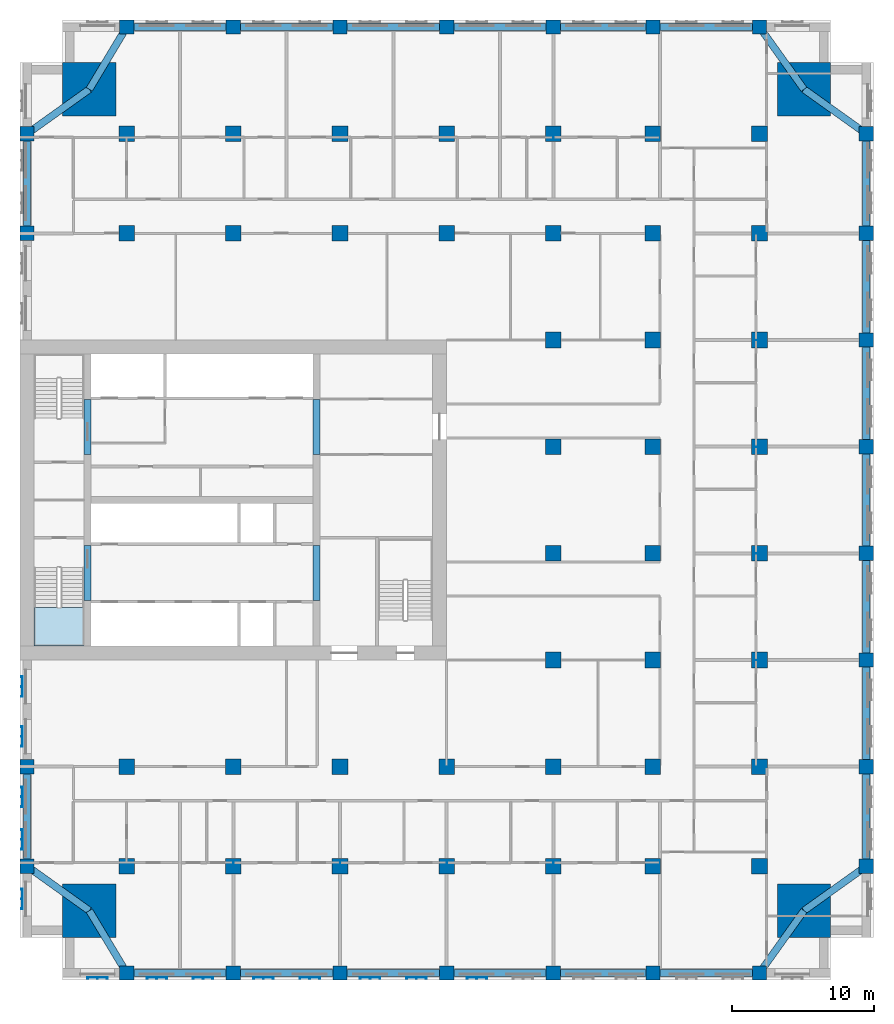
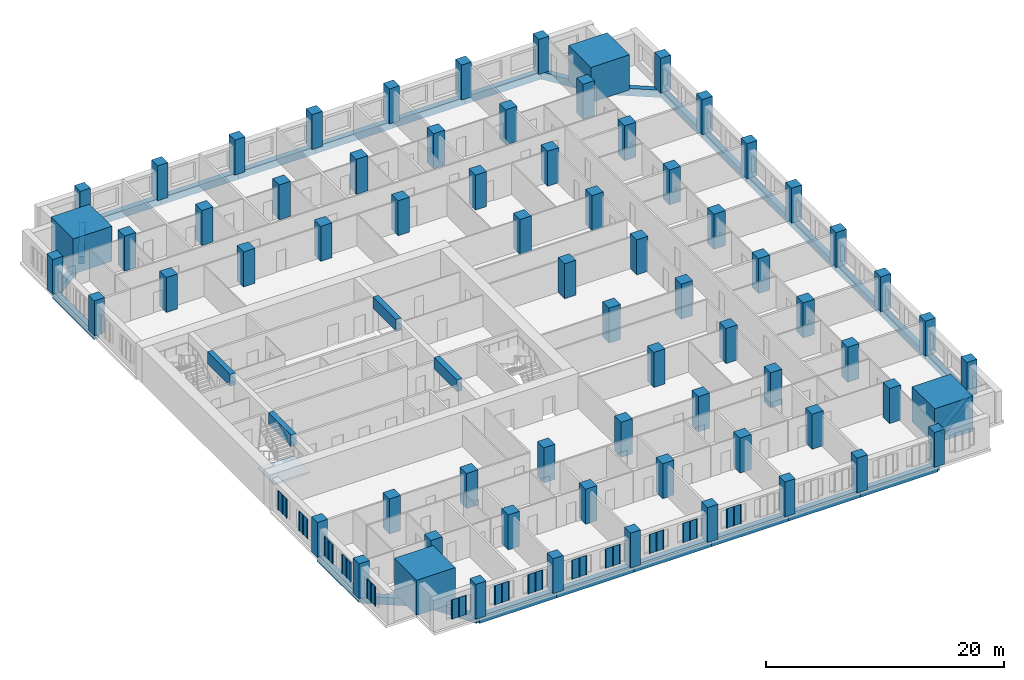
# One storey, part 1 of 14: 70 columns, 33 beams, 13 plates, 1 slab, 1 element without a shape of its own.
"""IFC4 building model written with IfcOpenShell, lengths in metres."""

from ifc_helpers import new_model, si_unit, direction, frame, origin, origin_2d, place, context, subcontext, project, spatial, polyline, rectangle, outline, extrude, material, layer, layer_set, material_profile, profile_set, type_object, element, aggregate, save


model = new_model("IFC4")

# Units and contexts
model_context = context("Model", 3, precision=1e-05, world=origin(), true_north=direction((0.0, 1.0)))
body_context = subcontext(model_context, "Body", "Model", "MODEL_VIEW")
ifc_project = project(units=[si_unit("LENGTHUNIT", "METRE"), si_unit("AREAUNIT", "SQUARE_METRE"), si_unit("VOLUMEUNIT", "CUBIC_METRE"), si_unit("PLANEANGLEUNIT", "RADIAN"), si_unit("MASSUNIT", "GRAM", prefix="KILO")], contexts=[model_context])

# Site, building, storey
site_placement = place(None, origin())
site = spatial("IfcSite", under=ifc_project, at=site_placement, CompositionType="ELEMENT")
building_placement = place(site_placement, origin())
building = spatial("IfcBuilding", under=site, at=building_placement, Name="Tamorin Gate", CompositionType="ELEMENT")
storey_placement = place(building_placement, frame((0.0, 0.0, 115.10009765625)))
storey = spatial("IfcBuildingStorey", under=building, at=storey_placement, Name="L28", CompositionType="ELEMENT", Elevation=115.10009765625)

# Columns
ifc_material_1 = material(Name="Concrete C80/95", Category="concrete")
ifc_material_profile_1 = material_profile(ifc_material_1, rectangle(XDim=1.0, YDim=1.0, at=origin_2d()), Name="RC 1000x1000")
ifc_profile_set_1 = profile_set([ifc_material_profile_1], Name="Concrete C80/95")
column_type_1 = type_object("IfcColumnType", Name="RC column 1000x1000 C80/95", PredefinedType="COLUMN", material=ifc_profile_set_1)
for number, where, z_axis, x_axis, name in (
    (1, (30.5, 45.5, 0.0), (0.0, 0.0, 1.0), (1.0, 0.0, 0.0), "Ring column L28"),
    (2, (30.5, 52.5, 0.0), (0.0, 0.0, 1.0), (1.0, 0.0, 0.0), "Ring column L28"),
    (3, (30.5, 90.0, 0.0), (0.0, 0.0, 1.0), (1.0, 0.0, 0.0), "Ring column L28"),
    (4, (30.5, 97.0, 0.0), (0.0, 0.0, 1.0), (1.0, 0.0, 0.0), "Ring column L28"),
    (5, (37.5, 38.0, 0.0), (0.0, 0.0, 1.0), (1.0, 0.0, 0.0), "Ring column L28"),
    (6, (37.5, 104.5, 0.0), (0.0, 0.0, 1.0), (1.0, 0.0, 0.0), "Ring column L28"),
    (7, (45.0, 38.0, 0.0), (0.0, 0.0, 1.0), (1.0, 0.0, 0.0), "Ring column L28"),
    (8, (45.0, 104.5, 0.0), (0.0, 0.0, 1.0), (1.0, 0.0, 0.0), "Ring column L28"),
    (9, (52.5, 38.0, 0.0), (0.0, 0.0, 1.0), (1.0, 0.0, 0.0), "Ring column L28"),
    (10, (52.5, 104.5, 0.0), (0.0, 0.0, 1.0), (1.0, 0.0, 0.0), "Ring column L28"),
    (11, (60.0, 38.0, 0.0), (0.0, 0.0, 1.0), (1.0, 0.0, 0.0), "Ring column L28"),
    (12, (60.0, 104.5, 0.0), (0.0, 0.0, 1.0), (1.0, 0.0, 0.0), "Ring column L28"),
    (13, (67.5, 38.0, 0.0), (0.0, 0.0, 1.0), (1.0, 0.0, 0.0), "Ring column L28"),
    (14, (67.5, 104.5, 0.0), (0.0, 0.0, 1.0), (1.0, 0.0, 0.0), "Ring column L28"),
    (15, (74.5, 38.0, 0.0), (0.0, 0.0, 1.0), (1.0, 0.0, 0.0), "Ring column L28"),
    (16, (74.5, 104.5, 0.0), (0.0, 0.0, 1.0), (1.0, 0.0, 0.0), "Ring column L28"),
    (17, (82.0, 38.0, 0.0), (0.0, 0.0, 1.0), (1.0, 0.0, 0.0), "Ring column L28"),
    (18, (82.0, 104.5, 0.0), (0.0, 0.0, 1.0), (1.0, 0.0, 0.0), "Ring column L28"),
    (19, (89.5, 45.5, 0.0), (0.0, 0.0, 1.0), (1.0, 0.0, 0.0), "Ring column L28"),
    (20, (89.5, 52.5, 0.0), (0.0, 0.0, 1.0), (1.0, 0.0, 0.0), "Ring column L28"),
    (21, (89.5, 60.0, 0.0), (0.0, 0.0, 1.0), (1.0, 0.0, 0.0), "Ring column L28"),
    (22, (89.5, 67.5, 0.0), (0.0, 0.0, 1.0), (1.0, 0.0, 0.0), "Ring column L28"),
    (23, (89.5, 75.0, 0.0), (0.0, 0.0, 1.0), (1.0, 0.0, 0.0), "Ring column L28"),
    (24, (89.5, 82.5, 0.0), (0.0, 0.0, 1.0), (1.0, 0.0, 0.0), "Ring column L28"),
    (25, (89.5, 90.0, 0.0), (0.0, 0.0, 1.0), (1.0, 0.0, 0.0), "Ring column L28"),
    (26, (89.5, 97.0, 0.0), (0.0, 0.0, 1.0), (1.0, 0.0, 0.0), "Ring column L28"),
):
    element("IfcColumn", number, at=place(storey_placement, frame(where, z_axis=z_axis, x_axis=x_axis)), inside=storey, type_object=column_type_1, Name=name, PredefinedType="COLUMN", context=body_context, shape_type="SweptSolid", body=[
        extrude(rectangle(XDim=1.0, YDim=1.0, at=origin_2d()), origin(), (0.0, 0.0, 1.0), 3.599853515625),
    ])
ifc_material_profile_2 = material_profile(ifc_material_1, rectangle(XDim=1.10009765625, YDim=1.10009765625, at=origin_2d()), Name="RC 1100x1100")
ifc_profile_set_2 = profile_set([ifc_material_profile_2], Name="Concrete C80/95")
column_type_2 = type_object("IfcColumnType", Name="RC column 1100x1100 C80/95", PredefinedType="COLUMN", material=ifc_profile_set_2)
for number, where, z_axis, x_axis, name in (
    (27, (37.5, 45.5, 0.0), (0.0, 0.0, 1.0), (1.0, 0.0, 0.0), "Interior column L28"),
    (28, (37.5, 52.5, 0.0), (0.0, 0.0, 1.0), (1.0, 0.0, 0.0), "Interior column L28"),
    (29, (37.5, 90.0, 0.0), (0.0, 0.0, 1.0), (1.0, 0.0, 0.0), "Interior column L28"),
    (30, (37.5, 97.0, 0.0), (0.0, 0.0, 1.0), (1.0, 0.0, 0.0), "Interior column L28"),
    (31, (45.0, 45.5, 0.0), (0.0, 0.0, 1.0), (1.0, 0.0, 0.0), "Interior column L28"),
    (32, (45.0, 52.5, 0.0), (0.0, 0.0, 1.0), (1.0, 0.0, 0.0), "Interior column L28"),
    (33, (45.0, 90.0, 0.0), (0.0, 0.0, 1.0), (1.0, 0.0, 0.0), "Interior column L28"),
    (34, (45.0, 97.0, 0.0), (0.0, 0.0, 1.0), (1.0, 0.0, 0.0), "Interior column L28"),
    (35, (52.5, 45.5, 0.0), (0.0, 0.0, 1.0), (1.0, 0.0, 0.0), "Interior column L28"),
    (36, (52.5, 52.5, 0.0), (0.0, 0.0, 1.0), (1.0, 0.0, 0.0), "Interior column L28"),
    (37, (52.5, 90.0, 0.0), (0.0, 0.0, 1.0), (1.0, 0.0, 0.0), "Interior column L28"),
    (38, (52.5, 97.0, 0.0), (0.0, 0.0, 1.0), (1.0, 0.0, 0.0), "Interior column L28"),
    (39, (60.0, 45.5, 0.0), (0.0, 0.0, 1.0), (1.0, 0.0, 0.0), "Interior column L28"),
    (40, (60.0, 52.5, 0.0), (0.0, 0.0, 1.0), (1.0, 0.0, 0.0), "Interior column L28"),
    (41, (60.0, 90.0, 0.0), (0.0, 0.0, 1.0), (1.0, 0.0, 0.0), "Interior column L28"),
    (42, (60.0, 97.0, 0.0), (0.0, 0.0, 1.0), (1.0, 0.0, 0.0), "Interior column L28"),
    (43, (67.5, 45.5, 0.0), (0.0, 0.0, 1.0), (1.0, 0.0, 0.0), "Interior column L28"),
    (44, (67.5, 52.5, 0.0), (0.0, 0.0, 1.0), (1.0, 0.0, 0.0), "Interior column L28"),
    (45, (67.5, 60.0, 0.0), (0.0, 0.0, 1.0), (1.0, 0.0, 0.0), "Interior column L28"),
    (46, (67.5, 67.5, 0.0), (0.0, 0.0, 1.0), (1.0, 0.0, 0.0), "Interior column L28"),
    (47, (67.5, 75.0, 0.0), (0.0, 0.0, 1.0), (1.0, 0.0, 0.0), "Interior column L28"),
    (48, (67.5, 82.5, 0.0), (0.0, 0.0, 1.0), (1.0, 0.0, 0.0), "Interior column L28"),
    (49, (67.5, 90.0, 0.0), (0.0, 0.0, 1.0), (1.0, 0.0, 0.0), "Interior column L28"),
    (50, (67.5, 97.0, 0.0), (0.0, 0.0, 1.0), (1.0, 0.0, 0.0), "Interior column L28"),
    (51, (74.5, 45.5, 0.0), (0.0, 0.0, 1.0), (1.0, 0.0, 0.0), "Interior column L28"),
    (52, (74.5, 52.5, 0.0), (0.0, 0.0, 1.0), (1.0, 0.0, 0.0), "Interior column L28"),
    (53, (74.5, 60.0, 0.0), (0.0, 0.0, 1.0), (1.0, 0.0, 0.0), "Interior column L28"),
    (54, (74.5, 67.5, 0.0), (0.0, 0.0, 1.0), (1.0, 0.0, 0.0), "Interior column L28"),
    (55, (74.5, 75.0, 0.0), (0.0, 0.0, 1.0), (1.0, 0.0, 0.0), "Interior column L28"),
    (56, (74.5, 82.5, 0.0), (0.0, 0.0, 1.0), (1.0, 0.0, 0.0), "Interior column L28"),
    (57, (74.5, 90.0, 0.0), (0.0, 0.0, 1.0), (1.0, 0.0, 0.0), "Interior column L28"),
    (58, (74.5, 97.0, 0.0), (0.0, 0.0, 1.0), (1.0, 0.0, 0.0), "Interior column L28"),
    (59, (82.0, 45.5, 0.0), (0.0, 0.0, 1.0), (1.0, 0.0, 0.0), "Interior column L28"),
    (60, (82.0, 52.5, 0.0), (0.0, 0.0, 1.0), (1.0, 0.0, 0.0), "Interior column L28"),
    (61, (82.0, 60.0, 0.0), (0.0, 0.0, 1.0), (1.0, 0.0, 0.0), "Interior column L28"),
    (62, (82.0, 67.5, 0.0), (0.0, 0.0, 1.0), (1.0, 0.0, 0.0), "Interior column L28"),
    (63, (82.0, 75.0, 0.0), (0.0, 0.0, 1.0), (1.0, 0.0, 0.0), "Interior column L28"),
    (64, (82.0, 82.5, 0.0), (0.0, 0.0, 1.0), (1.0, 0.0, 0.0), "Interior column L28"),
    (65, (82.0, 90.0, 0.0), (0.0, 0.0, 1.0), (1.0, 0.0, 0.0), "Interior column L28"),
    (66, (82.0, 97.0, 0.0), (0.0, 0.0, 1.0), (1.0, 0.0, 0.0), "Interior column L28"),
):
    element("IfcColumn", number, at=place(storey_placement, frame(where, z_axis=z_axis, x_axis=x_axis)), inside=storey, type_object=column_type_2, Name=name, PredefinedType="COLUMN", context=body_context, shape_type="SweptSolid", body=[
        extrude(rectangle(XDim=1.10009765625, YDim=1.10009765625, at=origin_2d()), origin(), (0.0, 0.0, 1.0), 3.599853515625),
    ])
ifc_material_profile_3 = material_profile(ifc_material_1, rectangle(XDim=3.75, YDim=3.75, at=origin_2d()), Name="RC 3750x3750")
ifc_profile_set_3 = profile_set([ifc_material_profile_3], Name="Concrete C80/95")
column_type_3 = type_object("IfcColumnType", Name="RC column 3750x3750 C80/95", PredefinedType="COLUMN", material=ifc_profile_set_3)
for number, where, z_axis, x_axis, name in (
    (67, (34.875, 42.375, 0.0), (0.0, 0.0, 1.0), (1.0, 0.0, 0.0), "Mega column SW L28"),
    (68, (85.125, 42.375, 0.0), (0.0, 0.0, 1.0), (1.0, 0.0, 0.0), "Mega column SE L28"),
    (69, (34.875, 100.125, 0.0), (0.0, 0.0, 1.0), (1.0, 0.0, 0.0), "Mega column NW L28"),
    (70, (85.125, 100.125, 0.0), (0.0, 0.0, 1.0), (1.0, 0.0, 0.0), "Mega column NE L28"),
):
    element("IfcColumn", number, at=place(storey_placement, frame(where, z_axis=z_axis, x_axis=x_axis)), inside=storey, type_object=column_type_3, Name=name, PredefinedType="COLUMN", context=body_context, shape_type="SweptSolid", body=[
        extrude(rectangle(XDim=3.75, YDim=3.75, at=origin_2d()), origin(), (0.0, 0.0, 1.0), 3.599853515625),
    ])

# Beams
ifc_material_profile_4 = material_profile(ifc_material_1, rectangle(XDim=0.5, YDim=1.199951171875, at=origin_2d()), Name="RC 500x1200")
ifc_profile_set_4 = profile_set([ifc_material_profile_4], Name="Concrete C80/95")
beam_type_1 = type_object("IfcBeamType", Name="RC coupling beam 500x1200 C80/95", PredefinedType="BEAM", material=ifc_profile_set_4)
for number, where, z_axis, x_axis, name in (
    (71, (34.75, 64.199951171875, 3.0), (0.0, 1.0, 0.0), (-1.0, 0.0, 0.0), "Coupling beam L28"),
    (72, (34.75, 74.449951171875, 3.0), (0.0, 1.0, 0.0), (-1.0, 0.0, 0.0), "Coupling beam L28"),
    (73, (50.85009765625, 64.199951171875, 3.0), (0.0, 1.0, 0.0), (-1.0, 0.0, 0.0), "Coupling beam L28"),
    (74, (50.85009765625, 74.449951171875, 3.0), (0.0, 1.0, 0.0), (-1.0, 0.0, 0.0), "Coupling beam L28"),
):
    element("IfcBeam", number, at=place(storey_placement, frame(where, z_axis=z_axis, x_axis=x_axis)), inside=storey, type_object=beam_type_1, Name=name, PredefinedType="BEAM", context=body_context, shape_type="SweptSolid", body=[
        extrude(rectangle(XDim=0.5, YDim=1.199951171875, at=origin_2d()), origin(), (0.0, 0.0, 1.0), 3.85009765625),
    ])
ifc_material_2 = material(Name="Concrete C50/60", Category="concrete")
ifc_material_profile_5 = material_profile(ifc_material_2, rectangle(XDim=0.5, YDim=0.75, at=origin_2d()), Name="RC 500x750")
ifc_profile_set_5 = profile_set([ifc_material_profile_5], Name="Concrete C50/60")
beam_type_2 = type_object("IfcBeamType", Name="RC spandrel 500x750 C50/60", PredefinedType="BEAM", material=ifc_profile_set_5)
for number, where, z_axis, x_axis, name in (
    (75, (37.5, 38.0, -0.375), (1.0, 0.0, 0.0), (0.0, 1.0, 0.0), "Spandrel beam L28"),
    (76, (45.0, 38.0, -0.375), (1.0, 0.0, 0.0), (0.0, 1.0, 0.0), "Spandrel beam L28"),
    (77, (52.5, 38.0, -0.375), (1.0, 0.0, 0.0), (0.0, 1.0, 0.0), "Spandrel beam L28"),
    (78, (60.0, 38.0, -0.375), (1.0, 0.0, 0.0), (0.0, 1.0, 0.0), "Spandrel beam L28"),
):
    element("IfcBeam", number, at=place(storey_placement, frame(where, z_axis=z_axis, x_axis=x_axis)), inside=storey, type_object=beam_type_2, Name=name, PredefinedType="BEAM", context=body_context, shape_type="SweptSolid", body=[
        extrude(rectangle(XDim=0.5, YDim=0.75, at=origin_2d()), origin(), (0.0, 0.0, 1.0), 7.5),
    ])
beam_1_placement = place(storey_placement, frame((67.5, 38.0, -0.375), z_axis=(1.0, 0.0, 0.0), x_axis=(0.0, 1.0, 0.0)))
element("IfcBeam", 79, at=beam_1_placement, inside=storey, type_object=beam_type_2, Name="Spandrel beam L28", PredefinedType="BEAM", context=body_context, shape_type="SweptSolid", body=[
    extrude(rectangle(XDim=0.5, YDim=0.75, at=origin_2d()), origin(), (0.0, 0.0, 1.0), 7.0),
])
beam_2_placement = place(storey_placement, frame((74.5, 38.0, -0.375), z_axis=(1.0, 0.0, 0.0), x_axis=(0.0, 1.0, 0.0)))
element("IfcBeam", 80, at=beam_2_placement, inside=storey, type_object=beam_type_2, Name="Spandrel beam L28", PredefinedType="BEAM", context=body_context, shape_type="SweptSolid", body=[
    extrude(rectangle(XDim=0.5, YDim=0.75, at=origin_2d()), origin(), (0.0, 0.0, 1.0), 7.5),
])
beam_3_placement = place(storey_placement, frame((89.5, 45.5, -0.375), z_axis=(0.0, 1.0, 0.0), x_axis=(-1.0, 0.0, 0.0)))
element("IfcBeam", 81, at=beam_3_placement, inside=storey, type_object=beam_type_2, Name="Spandrel beam L28", PredefinedType="BEAM", context=body_context, shape_type="SweptSolid", body=[
    extrude(rectangle(XDim=0.5, YDim=0.75, at=origin_2d()), origin(), (0.0, 0.0, 1.0), 7.0),
])
for number, where, z_axis, x_axis, name in (
    (82, (89.5, 52.5, -0.375), (0.0, 1.0, 0.0), (-1.0, 0.0, 0.0), "Spandrel beam L28"),
    (83, (89.5, 60.0, -0.375), (0.0, 1.0, 0.0), (-1.0, 0.0, 0.0), "Spandrel beam L28"),
    (84, (89.5, 67.5, -0.375), (0.0, 1.0, 0.0), (-1.0, 0.0, 0.0), "Spandrel beam L28"),
    (85, (89.5, 75.0, -0.375), (0.0, 1.0, 0.0), (-1.0, 0.0, 0.0), "Spandrel beam L28"),
    (86, (89.5, 82.5, -0.375), (0.0, 1.0, 0.0), (-1.0, 0.0, 0.0), "Spandrel beam L28"),
):
    element("IfcBeam", number, at=place(storey_placement, frame(where, z_axis=z_axis, x_axis=x_axis)), inside=storey, type_object=beam_type_2, Name=name, PredefinedType="BEAM", context=body_context, shape_type="SweptSolid", body=[
        extrude(rectangle(XDim=0.5, YDim=0.75, at=origin_2d()), origin(), (0.0, 0.0, 1.0), 7.5),
    ])
beam_4_placement = place(storey_placement, frame((89.5, 90.0, -0.375), z_axis=(0.0, 1.0, 0.0), x_axis=(-1.0, 0.0, 0.0)))
element("IfcBeam", 87, at=beam_4_placement, inside=storey, type_object=beam_type_2, Name="Spandrel beam L28", PredefinedType="BEAM", context=body_context, shape_type="SweptSolid", body=[
    extrude(rectangle(XDim=0.5, YDim=0.75, at=origin_2d()), origin(), (0.0, 0.0, 1.0), 7.0),
])
beam_5_placement = place(storey_placement, frame((82.0, 104.5, -0.375), z_axis=(-1.0, 0.0, 0.0), x_axis=(0.0, -1.0, 0.0)))
element("IfcBeam", 88, at=beam_5_placement, inside=storey, type_object=beam_type_2, Name="Spandrel beam L28", PredefinedType="BEAM", context=body_context, shape_type="SweptSolid", body=[
    extrude(rectangle(XDim=0.5, YDim=0.75, at=origin_2d()), origin(), (0.0, 0.0, 1.0), 7.5),
])
beam_6_placement = place(storey_placement, frame((74.5, 104.5, -0.375), z_axis=(-1.0, 0.0, 0.0), x_axis=(0.0, -1.0, 0.0)))
element("IfcBeam", 89, at=beam_6_placement, inside=storey, type_object=beam_type_2, Name="Spandrel beam L28", PredefinedType="BEAM", context=body_context, shape_type="SweptSolid", body=[
    extrude(rectangle(XDim=0.5, YDim=0.75, at=origin_2d()), origin(), (0.0, 0.0, 1.0), 7.0),
])
for number, where, z_axis, x_axis, name in (
    (90, (67.5, 104.5, -0.375), (-1.0, 0.0, 0.0), (0.0, -1.0, 0.0), "Spandrel beam L28"),
    (91, (60.0, 104.5, -0.375), (-1.0, 0.0, 0.0), (0.0, -1.0, 0.0), "Spandrel beam L28"),
    (92, (52.5, 104.5, -0.375), (-1.0, 0.0, 0.0), (0.0, -1.0, 0.0), "Spandrel beam L28"),
    (93, (45.0, 104.5, -0.375), (-1.0, 0.0, 0.0), (0.0, -1.0, 0.0), "Spandrel beam L28"),
):
    element("IfcBeam", number, at=place(storey_placement, frame(where, z_axis=z_axis, x_axis=x_axis)), inside=storey, type_object=beam_type_2, Name=name, PredefinedType="BEAM", context=body_context, shape_type="SweptSolid", body=[
        extrude(rectangle(XDim=0.5, YDim=0.75, at=origin_2d()), origin(), (0.0, 0.0, 1.0), 7.5),
    ])
for number, where, z_axis, x_axis, name in (
    (94, (30.5, 97.0, -0.375), (0.0, -1.0, 0.0), (1.0, 0.0, 0.0), "Spandrel beam L28"),
    (95, (30.5, 52.5, -0.375), (0.0, -1.0, 0.0), (1.0, 0.0, 0.0), "Spandrel beam L28"),
):
    element("IfcBeam", number, at=place(storey_placement, frame(where, z_axis=z_axis, x_axis=x_axis)), inside=storey, type_object=beam_type_2, Name=name, PredefinedType="BEAM", context=body_context, shape_type="SweptSolid", body=[
        extrude(rectangle(XDim=0.5, YDim=0.75, at=origin_2d()), origin(), (0.0, 0.0, 1.0), 7.0),
    ])
beam_7_placement = place(storey_placement, frame((34.875, 42.375, -0.375), z_axis=(0.514495755428, -0.857492925713, 0.0), x_axis=(0.857492925713, 0.514495755428, 0.0)))
element("IfcBeam", 96, at=beam_7_placement, inside=storey, type_object=beam_type_2, Name="Corner tie beam L28", PredefinedType="BEAM", context=body_context, shape_type="SweptSolid", body=[
    extrude(rectangle(XDim=0.5, YDim=0.75, at=origin_2d()), origin(), (0.0, 0.0, 1.0), 5.10205078125),
])
for number, where, z_axis, x_axis, name in (
    (97, (34.875, 42.375, -0.375), (-0.813733471207, 0.581238193719, 0.0), (-0.581238193719, -0.813733471207, 0.0), "Corner tie beam L28"),
    (98, (85.125, 42.375, -0.375), (-0.581238193719, -0.813733471207, 0.0), (0.813733471207, -0.581238193719, 0.0), "Corner tie beam L28"),
    (99, (85.125, 42.375, -0.375), (0.813733471207, 0.581238193719, 0.0), (-0.581238193719, 0.813733471207, 0.0), "Corner tie beam L28"),
):
    element("IfcBeam", number, at=place(storey_placement, frame(where, z_axis=z_axis, x_axis=x_axis)), inside=storey, type_object=beam_type_2, Name=name, PredefinedType="BEAM", context=body_context, shape_type="SweptSolid", body=[
        extrude(rectangle(XDim=0.5, YDim=0.75, at=origin_2d()), origin(), (0.0, 0.0, 1.0), 5.37646484375),
    ])
beam_8_placement = place(storey_placement, frame((34.875, 100.125, -0.375), z_axis=(0.514495755428, 0.857492925713, 0.0), x_axis=(-0.857492925713, 0.514495755428, 0.0)))
element("IfcBeam", 100, at=beam_8_placement, inside=storey, type_object=beam_type_2, Name="Corner tie beam L28", PredefinedType="BEAM", context=body_context, shape_type="SweptSolid", body=[
    extrude(rectangle(XDim=0.5, YDim=0.75, at=origin_2d()), origin(), (0.0, 0.0, 1.0), 5.10205078125),
])
for number, where, z_axis, x_axis, name in (
    (101, (34.875, 100.125, -0.375), (-0.813733471207, -0.581238193719, 0.0), (0.581238193719, -0.813733471207, 0.0), "Corner tie beam L28"),
    (102, (85.125, 100.125, -0.375), (-0.581238193719, 0.813733471207, 0.0), (-0.813733471207, -0.581238193719, 0.0), "Corner tie beam L28"),
    (103, (85.125, 100.125, -0.375), (0.813733471207, -0.581238193719, 0.0), (0.581238193719, 0.813733471207, 0.0), "Corner tie beam L28"),
):
    element("IfcBeam", number, at=place(storey_placement, frame(where, z_axis=z_axis, x_axis=x_axis)), inside=storey, type_object=beam_type_2, Name=name, PredefinedType="BEAM", context=body_context, shape_type="SweptSolid", body=[
        extrude(rectangle(XDim=0.5, YDim=0.75, at=origin_2d()), origin(), (0.0, 0.0, 1.0), 5.37646484375),
    ])

# Stair, slab
ifc_material_3 = material(Name="Concrete C40/50", Category="concrete")
stair_type = type_object("IfcStairType", Name="Exit stair", PredefinedType="HALF_TURN_STAIR", material=ifc_material_3)
stair_placement = place(storey_placement, origin())
stair = element("IfcStair", 104, at=stair_placement, inside=storey, type_object=stair_type, Name="L28 stair ST1", PredefinedType="HALF_TURN_STAIR")
ifc_layer_1 = layer(ifc_material_3, 0.199951171875)
ifc_layer_set_1 = layer_set([ifc_layer_1], Name="Exit stair landing 200")
slab_type = type_object("IfcSlabType", Name="Exit stair landing 200", PredefinedType="LANDING", material=ifc_layer_set_1)
slab_placement = place(storey_placement, frame((0.0, 0.0, 1.599853515625)))
slab = element("IfcSlab", 105, at=slab_placement, type_object=slab_type, Name="ST1 landing 1", PredefinedType="LANDING", context=body_context, shape_type="SweptSolid", body=[
    extrude(outline(polyline([(31.0, 63.699951171875), (31.0, 61.0), (34.5, 61.0), (34.5, 63.699951171875), (31.0, 63.699951171875)])), origin(), (0.0, 0.0, 1.0), 0.199951171875),
])
aggregate(stair, [slab])

# Plates
ifc_material_4 = material(Name="Perforated pale aluminium sheet", Category="aluminium")
ifc_layer_2 = layer(ifc_material_4, 0.0400390625)
ifc_layer_set_2 = layer_set([ifc_layer_2], Name="Pale metal solar screen 1440")
plate_type = type_object("IfcPlateType", Name="Pale metal solar screen 1440", PredefinedType="SHEET", material=ifc_layer_set_2)
plate_1_placement = place(storey_placement, frame((0.0, 0.0, 0.7099609375)))
element("IfcPlate", 106, at=plate_1_placement, inside=storey, type_object=plate_type, Name="Perforated solar screen", PredefinedType="SHEET", context=body_context, shape_type="SweptSolid", body=[
    extrude(outline(polyline([(34.72998046875, 37.659912109375), (34.72998046875, 37.699951171875), (34.7900390625, 37.699951171875), (35.419921875, 37.699951171875), (35.47998046875, 37.699951171875), (36.110107421875, 37.699951171875), (36.169921875, 37.699951171875), (36.169921875, 37.659912109375), (36.169921875, 37.60009765625), (36.110107421875, 37.60009765625), (36.110107421875, 37.659912109375), (35.47998046875, 37.659912109375), (35.47998046875, 37.60009765625), (35.419921875, 37.60009765625), (35.419921875, 37.659912109375), (34.7900390625, 37.659912109375), (34.7900390625, 37.60009765625), (34.72998046875, 37.60009765625), (34.72998046875, 37.659912109375)])), origin(), (0.0, 0.0, 1.0), 1.97998046875),
])
plate_2_placement = place(storey_placement, frame((0.0, 0.0, 0.7099609375)))
element("IfcPlate", 107, at=plate_2_placement, inside=storey, type_object=plate_type, Name="Perforated solar screen", PredefinedType="SHEET", context=body_context, shape_type="SweptSolid", body=[
    extrude(outline(polyline([(38.905029296875, 37.659912109375), (38.905029296875, 37.699951171875), (38.965087890625, 37.699951171875), (39.594970703125, 37.699951171875), (39.655029296875, 37.699951171875), (40.284912109375, 37.699951171875), (40.344970703125, 37.699951171875), (40.344970703125, 37.699951171875), (40.344970703125, 37.659912109375), (40.344970703125, 37.659912109375), (40.344970703125, 37.60009765625), (40.284912109375, 37.60009765625), (40.284912109375, 37.659912109375), (39.655029296875, 37.659912109375), (39.655029296875, 37.60009765625), (39.594970703125, 37.60009765625), (39.594970703125, 37.659912109375), (38.965087890625, 37.659912109375), (38.965087890625, 37.60009765625), (38.905029296875, 37.60009765625), (38.905029296875, 37.659912109375)])), origin(), (0.0, 0.0, 1.0), 1.97998046875),
])
plate_3_placement = place(storey_placement, frame((0.0, 0.0, 0.7099609375)))
element("IfcPlate", 108, at=plate_3_placement, inside=storey, type_object=plate_type, Name="Perforated solar screen", PredefinedType="SHEET", context=body_context, shape_type="SweptSolid", body=[
    extrude(outline(polyline([(42.155029296875, 37.659912109375), (42.155029296875, 37.699951171875), (42.215087890625, 37.699951171875), (42.844970703125, 37.699951171875), (42.905029296875, 37.699951171875), (43.534912109375, 37.699951171875), (43.594970703125, 37.699951171875), (43.594970703125, 37.659912109375), (43.594970703125, 37.60009765625), (43.534912109375, 37.60009765625), (43.534912109375, 37.659912109375), (42.905029296875, 37.659912109375), (42.905029296875, 37.60009765625), (42.844970703125, 37.60009765625), (42.844970703125, 37.659912109375), (42.215087890625, 37.659912109375), (42.215087890625, 37.60009765625), (42.155029296875, 37.60009765625), (42.155029296875, 37.659912109375)])), origin(), (0.0, 0.0, 1.0), 1.97998046875),
])
plate_4_placement = place(storey_placement, frame((0.0, 0.0, 0.7099609375)))
element("IfcPlate", 109, at=plate_4_placement, inside=storey, type_object=plate_type, Name="Perforated solar screen", PredefinedType="SHEET", context=body_context, shape_type="SweptSolid", body=[
    extrude(outline(polyline([(46.405029296875, 37.659912109375), (46.405029296875, 37.699951171875), (46.465087890625, 37.699951171875), (47.094970703125, 37.699951171875), (47.155029296875, 37.699951171875), (47.784912109375, 37.699951171875), (47.844970703125, 37.699951171875), (47.844970703125, 37.659912109375), (47.844970703125, 37.60009765625), (47.784912109375, 37.60009765625), (47.784912109375, 37.659912109375), (47.155029296875, 37.659912109375), (47.155029296875, 37.60009765625), (47.094970703125, 37.60009765625), (47.094970703125, 37.659912109375), (46.465087890625, 37.659912109375), (46.465087890625, 37.60009765625), (46.405029296875, 37.60009765625), (46.405029296875, 37.659912109375)])), origin(), (0.0, 0.0, 1.0), 1.97998046875),
])
plate_5_placement = place(storey_placement, frame((0.0, 0.0, 0.7099609375)))
element("IfcPlate", 110, at=plate_5_placement, inside=storey, type_object=plate_type, Name="Perforated solar screen", PredefinedType="SHEET", context=body_context, shape_type="SweptSolid", body=[
    extrude(outline(polyline([(49.655029296875, 37.659912109375), (49.655029296875, 37.699951171875), (49.715087890625, 37.699951171875), (50.344970703125, 37.699951171875), (50.405029296875, 37.699951171875), (51.034912109375, 37.699951171875), (51.094970703125, 37.699951171875), (51.094970703125, 37.659912109375), (51.094970703125, 37.60009765625), (51.034912109375, 37.60009765625), (51.034912109375, 37.659912109375), (50.405029296875, 37.659912109375), (50.405029296875, 37.60009765625), (50.344970703125, 37.60009765625), (50.344970703125, 37.659912109375), (49.715087890625, 37.659912109375), (49.715087890625, 37.60009765625), (49.655029296875, 37.60009765625), (49.655029296875, 37.659912109375)])), origin(), (0.0, 0.0, 1.0), 1.97998046875),
])
plate_6_placement = place(storey_placement, frame((0.0, 0.0, 0.7099609375)))
element("IfcPlate", 111, at=plate_6_placement, inside=storey, type_object=plate_type, Name="Perforated solar screen", PredefinedType="SHEET", context=body_context, shape_type="SweptSolid", body=[
    extrude(outline(polyline([(53.905029296875, 37.659912109375), (53.905029296875, 37.699951171875), (53.965087890625, 37.699951171875), (54.594970703125, 37.699951171875), (54.655029296875, 37.699951171875), (55.284912109375, 37.699951171875), (55.344970703125, 37.699951171875), (55.344970703125, 37.659912109375), (55.344970703125, 37.60009765625), (55.284912109375, 37.60009765625), (55.284912109375, 37.659912109375), (54.655029296875, 37.659912109375), (54.655029296875, 37.60009765625), (54.594970703125, 37.60009765625), (54.594970703125, 37.659912109375), (53.965087890625, 37.659912109375), (53.965087890625, 37.60009765625), (53.905029296875, 37.60009765625), (53.905029296875, 37.659912109375)])), origin(), (0.0, 0.0, 1.0), 1.97998046875),
])
plate_7_placement = place(storey_placement, frame((0.0, 0.0, 0.7099609375)))
element("IfcPlate", 112, at=plate_7_placement, inside=storey, type_object=plate_type, Name="Perforated solar screen", PredefinedType="SHEET", context=body_context, shape_type="SweptSolid", body=[
    extrude(outline(polyline([(57.155029296875, 37.659912109375), (57.155029296875, 37.699951171875), (57.215087890625, 37.699951171875), (57.844970703125, 37.699951171875), (57.905029296875, 37.699951171875), (58.534912109375, 37.699951171875), (58.594970703125, 37.699951171875), (58.594970703125, 37.659912109375), (58.594970703125, 37.60009765625), (58.534912109375, 37.60009765625), (58.534912109375, 37.659912109375), (57.905029296875, 37.659912109375), (57.905029296875, 37.60009765625), (57.844970703125, 37.60009765625), (57.844970703125, 37.659912109375), (57.215087890625, 37.659912109375), (57.215087890625, 37.60009765625), (57.155029296875, 37.60009765625), (57.155029296875, 37.659912109375)])), origin(), (0.0, 0.0, 1.0), 1.97998046875),
])
plate_8_placement = place(storey_placement, frame((0.0, 0.0, 0.7099609375)))
element("IfcPlate", 113, at=plate_8_placement, inside=storey, type_object=plate_type, Name="Perforated solar screen", PredefinedType="SHEET", context=body_context, shape_type="SweptSolid", body=[
    extrude(outline(polyline([(61.405029296875, 37.659912109375), (61.405029296875, 37.699951171875), (61.465087890625, 37.699951171875), (62.094970703125, 37.699951171875), (62.155029296875, 37.699951171875), (62.784912109375, 37.699951171875), (62.844970703125, 37.699951171875), (62.844970703125, 37.659912109375), (62.844970703125, 37.60009765625), (62.784912109375, 37.60009765625), (62.784912109375, 37.659912109375), (62.155029296875, 37.659912109375), (62.155029296875, 37.60009765625), (62.094970703125, 37.60009765625), (62.094970703125, 37.659912109375), (61.465087890625, 37.659912109375), (61.465087890625, 37.60009765625), (61.405029296875, 37.60009765625), (61.405029296875, 37.659912109375)])), origin(), (0.0, 0.0, 1.0), 1.97998046875),
])
plate_9_placement = place(storey_placement, frame((0.0, 0.0, 0.7099609375)))
element("IfcPlate", 114, at=plate_9_placement, inside=storey, type_object=plate_type, Name="Perforated solar screen", PredefinedType="SHEET", context=body_context, shape_type="SweptSolid", body=[
    extrude(outline(polyline([(30.159912109375, 55.344970703125), (30.199951171875, 55.344970703125), (30.199951171875, 55.284912109375), (30.199951171875, 54.655029296875), (30.199951171875, 54.594970703125), (30.199951171875, 53.965087890625), (30.199951171875, 53.905029296875), (30.159912109375, 53.905029296875), (30.10009765625, 53.905029296875), (30.10009765625, 53.965087890625), (30.159912109375, 53.965087890625), (30.159912109375, 54.594970703125), (30.10009765625, 54.594970703125), (30.10009765625, 54.655029296875), (30.159912109375, 54.655029296875), (30.159912109375, 55.284912109375), (30.10009765625, 55.284912109375), (30.10009765625, 55.344970703125), (30.159912109375, 55.344970703125)])), origin(), (0.0, 0.0, 1.0), 1.97998046875),
])
plate_10_placement = place(storey_placement, frame((0.0, 0.0, 0.7099609375)))
element("IfcPlate", 115, at=plate_10_placement, inside=storey, type_object=plate_type, Name="Perforated solar screen", PredefinedType="SHEET", context=body_context, shape_type="SweptSolid", body=[
    extrude(outline(polyline([(30.159912109375, 58.844970703125), (30.199951171875, 58.844970703125), (30.199951171875, 58.784912109375), (30.199951171875, 58.155029296875), (30.199951171875, 58.094970703125), (30.199951171875, 57.465087890625), (30.199951171875, 57.405029296875), (30.159912109375, 57.405029296875), (30.10009765625, 57.405029296875), (30.10009765625, 57.465087890625), (30.159912109375, 57.465087890625), (30.159912109375, 58.094970703125), (30.10009765625, 58.094970703125), (30.10009765625, 58.155029296875), (30.159912109375, 58.155029296875), (30.159912109375, 58.784912109375), (30.10009765625, 58.784912109375), (30.10009765625, 58.844970703125), (30.159912109375, 58.844970703125)])), origin(), (0.0, 0.0, 1.0), 1.97998046875),
])
plate_11_placement = place(storey_placement, frame((0.0, 0.0, 0.7099609375)))
element("IfcPlate", 116, at=plate_11_placement, inside=storey, type_object=plate_type, Name="Perforated solar screen", PredefinedType="SHEET", context=body_context, shape_type="SweptSolid", body=[
    extrude(outline(polyline([(30.159912109375, 48.094970703125), (30.199951171875, 48.094970703125), (30.199951171875, 48.034912109375), (30.199951171875, 47.405029296875), (30.199951171875, 47.344970703125), (30.199951171875, 46.715087890625), (30.199951171875, 46.655029296875), (30.159912109375, 46.655029296875), (30.10009765625, 46.655029296875), (30.10009765625, 46.715087890625), (30.159912109375, 46.715087890625), (30.159912109375, 47.344970703125), (30.10009765625, 47.344970703125), (30.10009765625, 47.405029296875), (30.159912109375, 47.405029296875), (30.159912109375, 48.034912109375), (30.10009765625, 48.034912109375), (30.10009765625, 48.094970703125), (30.159912109375, 48.094970703125)])), origin(), (0.0, 0.0, 1.0), 1.97998046875),
])
plate_12_placement = place(storey_placement, frame((0.0, 0.0, 0.7099609375)))
element("IfcPlate", 117, at=plate_12_placement, inside=storey, type_object=plate_type, Name="Perforated solar screen", PredefinedType="SHEET", context=body_context, shape_type="SweptSolid", body=[
    extrude(outline(polyline([(30.159912109375, 51.094970703125), (30.199951171875, 51.094970703125), (30.199951171875, 51.034912109375), (30.199951171875, 50.405029296875), (30.199951171875, 50.344970703125), (30.199951171875, 49.715087890625), (30.199951171875, 49.655029296875), (30.159912109375, 49.655029296875), (30.10009765625, 49.655029296875), (30.10009765625, 49.715087890625), (30.159912109375, 49.715087890625), (30.159912109375, 50.344970703125), (30.10009765625, 50.344970703125), (30.10009765625, 50.405029296875), (30.159912109375, 50.405029296875), (30.159912109375, 51.034912109375), (30.10009765625, 51.034912109375), (30.10009765625, 51.094970703125), (30.159912109375, 51.094970703125)])), origin(), (0.0, 0.0, 1.0), 1.97998046875),
])
plate_13_placement = place(storey_placement, frame((0.0, 0.0, 0.7099609375)))
element("IfcPlate", 118, at=plate_13_placement, inside=storey, type_object=plate_type, Name="Perforated solar screen", PredefinedType="SHEET", context=body_context, shape_type="SweptSolid", body=[
    extrude(outline(polyline([(30.159912109375, 43.919921875), (30.199951171875, 43.919921875), (30.199951171875, 43.860107421875), (30.199951171875, 43.22998046875), (30.199951171875, 43.169921875), (30.199951171875, 42.5400390625), (30.199951171875, 42.47998046875), (30.159912109375, 42.47998046875), (30.10009765625, 42.47998046875), (30.10009765625, 42.5400390625), (30.159912109375, 42.5400390625), (30.159912109375, 43.169921875), (30.10009765625, 43.169921875), (30.10009765625, 43.22998046875), (30.159912109375, 43.22998046875), (30.159912109375, 43.860107421875), (30.10009765625, 43.860107421875), (30.10009765625, 43.919921875), (30.159912109375, 43.919921875)])), origin(), (0.0, 0.0, 1.0), 1.97998046875),
])

save(model, "model.ifc")
